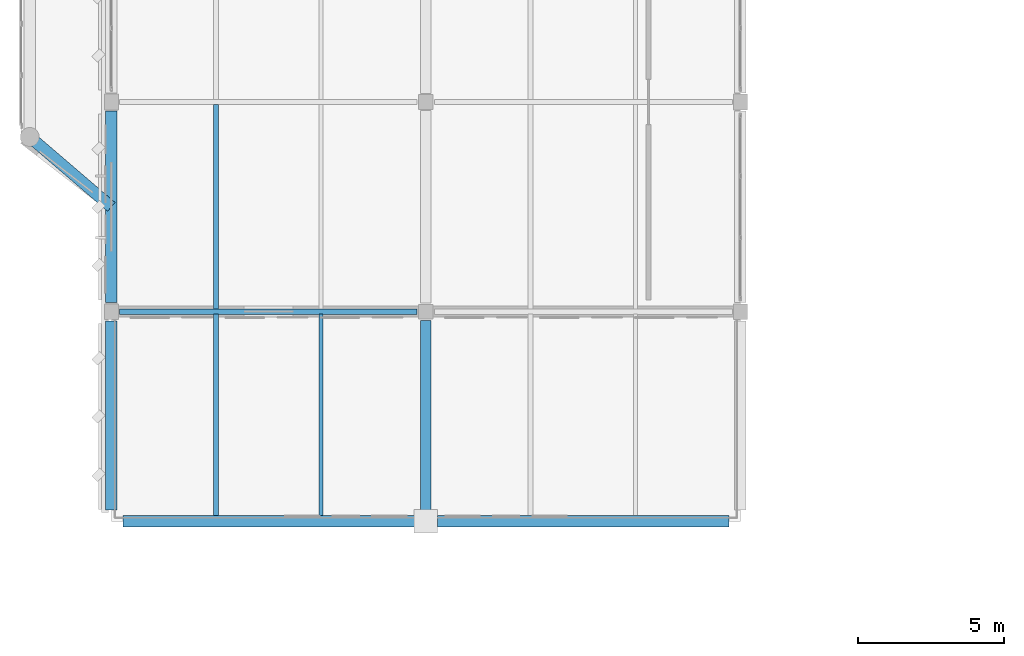
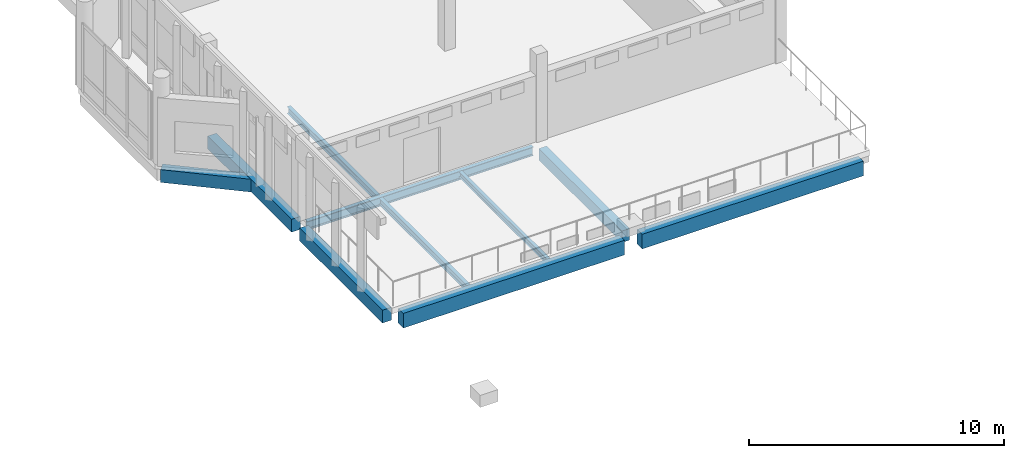
# One storey, part 3 of 72: 10 beams.
"""IFC4 building model written with IfcOpenShell, lengths in metres."""

from ifc_helpers import new_model, si_unit, direction, frame, origin, origin_2d, place, context, subcontext, project, spatial, rectangle, i_section, extrude, material, material_profile, profile_set, type_object, element, save


model = new_model("IFC4")

# Units and contexts
model_context = context("Model", 3, precision=1e-05, world=origin(), true_north=direction((0.0, 1.0)))
body_context = subcontext(model_context, "Body", "Model", "MODEL_VIEW")
ifc_project = project(units=[si_unit("LENGTHUNIT", "METRE"), si_unit("AREAUNIT", "SQUARE_METRE"), si_unit("VOLUMEUNIT", "CUBIC_METRE"), si_unit("PLANEANGLEUNIT", "RADIAN"), si_unit("MASSUNIT", "GRAM", prefix="KILO")], contexts=[model_context])

# Site, building, storey
site_placement = place(None, origin())
site = spatial("IfcSite", under=ifc_project, at=site_placement, CompositionType="ELEMENT")
building_placement = place(site_placement, origin())
building = spatial("IfcBuilding", under=site, at=building_placement, Name="Lusvemor Sports Hall", CompositionType="ELEMENT")
storey_placement = place(building_placement, frame((0.0, 0.0, 15.0)))
storey = spatial("IfcBuildingStorey", under=building, at=storey_placement, Name="L03", CompositionType="ELEMENT", Elevation=15.0)

# Beams
ifc_material_1 = material(Name="Concrete C40/50", Category="concrete")
ifc_material_profile_1 = material_profile(ifc_material_1, rectangle(XDim=0.35009765625, YDim=0.550048828125, at=origin_2d()), Name="RC350x550")
ifc_profile_set_1 = profile_set([ifc_material_profile_1], Name="Concrete C40/50")
beam_type_1 = type_object("IfcBeamType", Name="BEAM_RC_550", PredefinedType="BEAM", material=ifc_profile_set_1)
beam_1_placement = place(storey_placement, frame((10.800048828125, 47.196044921875, -0.544921875), z_axis=(0.0, 1.0, 0.0), x_axis=(-1.0, 0.0, 0.0)))
element("IfcBeam", 1, at=beam_1_placement, inside=storey, type_object=beam_type_1, Name="Beam L03 2:F-G", PredefinedType="BEAM", context=body_context, shape_type="SweptSolid", body=[
    extrude(rectangle(XDim=0.35009765625, YDim=0.550048828125, at=origin_2d()), origin(), (0.0, 0.0, 1.0), 6.508056640625),
])
ifc_material_2 = material(Name="Steel S355", Category="steel")
ifc_material_profile_2 = material_profile(ifc_material_2, i_section(OverallWidth=0.180908203125, OverallDepth=0.4169921875, WebThickness=0.010986328125, FlangeThickness=0.018310546875, FilletRadius=0.01611328125, at=origin_2d()), Name="W410x85.0")
ifc_profile_set_2 = profile_set([ifc_material_profile_2], Name="Steel S355")
beam_type_2 = type_object("IfcBeamType", Name="BEAM_ST_410H", PredefinedType="BEAM", material=ifc_profile_set_2)
beam_2_placement = place(storey_placement, frame((0.27587890625, 54.0, -0.482421875), z_axis=(1.0, 0.0, 0.0), x_axis=(0.0, 1.0, 0.0)))
element("IfcBeam", 2, at=beam_2_placement, inside=storey, type_object=beam_type_2, Name="Beam L03 G:1-2", PredefinedType="BEAM", context=body_context, shape_type="SweptSolid", body=[
    extrude(i_section(OverallWidth=0.180908203125, OverallDepth=0.4169921875, WebThickness=0.010986328125, FlangeThickness=0.018310546875, FilletRadius=0.01611328125, at=origin_2d()), origin(), (0.0, 0.0, 1.0), 10.22802734375),
])
ifc_material_3 = material(Name="Steel S355", Category="steel")
ifc_material_profile_3 = material_profile(ifc_material_3, i_section(OverallWidth=0.14794921875, OverallDepth=0.26611328125, WebThickness=0.007568359375, FlangeThickness=0.012939453125, FilletRadius=0.012939453125, at=origin_2d()), Name="W250x44.8")
ifc_profile_set_3 = profile_set([ifc_material_profile_3], Name="Steel S355")
beam_type_3 = type_object("IfcBeamType", Name="JOIST_ST_250M", PredefinedType="JOIST", material=ifc_profile_set_3)
beam_3_placement = place(storey_placement, frame((7.199951171875, 46.99609375, -0.406982421875), z_axis=(0.0, 1.0, 0.0), x_axis=(-1.0, 0.0, 0.0)))
element("IfcBeam", 3, at=beam_3_placement, inside=storey, type_object=beam_type_3, Name="Secondary Joist L03 1-2/F-G #2", PredefinedType="JOIST", context=body_context, shape_type="SweptSolid", body=[
    extrude(i_section(OverallWidth=0.14794921875, OverallDepth=0.26611328125, WebThickness=0.007568359375, FlangeThickness=0.012939453125, FilletRadius=0.012939453125, at=origin_2d()), origin(), (0.0, 0.0, 1.0), 6.91748046875),
])
ifc_material_4 = material(Name="Steel S355", Category="steel")
ifc_material_profile_4 = material_profile(ifc_material_4, i_section(OverallWidth=0.1669921875, OverallDepth=0.31689453125, WebThickness=0.007568359375, FlangeThickness=0.01318359375, FilletRadius=0.014892578125, at=origin_2d()), Name="W310x52.0")
ifc_profile_set_4 = profile_set([ifc_material_profile_4], Name="Steel S355")
beam_type_4 = type_object("IfcBeamType", Name="JOIST_ST_310M", PredefinedType="JOIST", material=ifc_profile_set_4)
beam_4_placement = place(storey_placement, frame((3.60009765625, 46.99609375, -0.4326171875), z_axis=(0.0, 1.0, 0.0), x_axis=(-1.0, 0.0, 0.0)))
element("IfcBeam", 4, at=beam_4_placement, inside=storey, type_object=beam_type_4, Name="Secondary Joist L03 1-2/F-G #1", PredefinedType="JOIST", context=body_context, shape_type="SweptSolid", body=[
    extrude(i_section(OverallWidth=0.1669921875, OverallDepth=0.31689453125, WebThickness=0.007568359375, FlangeThickness=0.01318359375, FilletRadius=0.014892578125, at=origin_2d()), origin(), (0.0, 0.0, 1.0), 6.91748046875),
])
beam_5_placement = place(storey_placement, frame((3.60009765625, 54.08642578125, -0.4326171875), z_axis=(0.0, 1.0, 0.0), x_axis=(-1.0, 0.0, 0.0)))
element("IfcBeam", 5, at=beam_5_placement, inside=storey, type_object=beam_type_4, Name="Secondary Joist L03 1-2/G-H #1", PredefinedType="JOIST", context=body_context, shape_type="SweptSolid", body=[
    extrude(i_section(OverallWidth=0.1669921875, OverallDepth=0.31689453125, WebThickness=0.007568359375, FlangeThickness=0.01318359375, FilletRadius=0.014892578125, at=origin_2d()), origin(), (0.0, 0.0, 1.0), 7.027099609375),
])
ifc_material_5 = material(Name="Concrete C40/50", Category="concrete")
ifc_material_profile_5 = material_profile(ifc_material_5, rectangle(XDim=0.39990234375, YDim=0.610107421875, at=origin_2d()), Name="RC400x610")
ifc_profile_set_5 = profile_set([ifc_material_profile_5], Name="Concrete C40/50")
beam_type_5 = type_object("IfcBeamType", Name="SPAND_EXT_650", PredefinedType="SPANDREL", material=ifc_profile_set_5)
beam_6_placement = place(storey_placement, frame((0.0, 47.196044921875, -0.574951171875), z_axis=(0.0, 1.0, 0.0), x_axis=(-1.0, 0.0, 0.0)))
element("IfcBeam", 6, at=beam_6_placement, inside=storey, type_object=beam_type_5, Name="Beam L03 1:F-G", PredefinedType="SPANDREL", context=body_context, shape_type="SweptSolid", body=[
    extrude(rectangle(XDim=0.39990234375, YDim=0.610107421875, at=origin_2d()), origin(), (0.0, 0.0, 1.0), 6.488037109375),
])
beam_7_placement = place(storey_placement, frame((0.0, 54.31591796875, -0.544921875), z_axis=(0.0, 1.0, 0.0), x_axis=(-1.0, 0.0, 0.0)))
element("IfcBeam", 7, at=beam_7_placement, inside=storey, type_object=beam_type_5, Name="Beam L03 1:G-H", PredefinedType="SPANDREL", context=body_context, shape_type="SweptSolid", body=[
    extrude(rectangle(XDim=0.39990234375, YDim=0.610107421875, at=origin_2d()), origin(), (0.0, 0.0, 1.0), 6.568115234375),
])
beam_8_placement = place(storey_placement, frame((0.0, 57.60009765625, -0.56494140625), z_axis=(-0.759275294494, 0.650769565339, 0.0), x_axis=(-0.650769565339, -0.759275294494, 0.0)))
element("IfcBeam", 8, at=beam_8_placement, inside=storey, type_object=beam_type_5, Name="Bow Pavilion Edge Beam BOW-W1 L03-1", PredefinedType="SPANDREL", context=body_context, shape_type="SweptSolid", body=[
    extrude(rectangle(XDim=0.39990234375, YDim=0.610107421875, at=origin_2d()), origin(), (0.0, 0.0, 1.0), 3.687744140625),
])
ifc_material_6 = material(Name="Concrete C40/50", Category="concrete")
ifc_material_profile_6 = material_profile(ifc_material_6, rectangle(XDim=0.39990234375, YDim=0.699951171875, at=origin_2d()), Name="RC400x700")
ifc_profile_set_6 = profile_set([ifc_material_profile_6], Name="Concrete C40/50")
beam_type_6 = type_object("IfcBeamType", Name="SPAND_EXT_700", PredefinedType="SPANDREL", material=ifc_profile_set_6)
for number, where, z_axis, x_axis, name in (
    (9, (0.39599609375, 46.800048828125, -0.6201171875), (1.0, 0.0, 0.0), (0.0, 1.0, 0.0), "Beam L03 F:1-2"),
    (10, (11.196044921875, 46.800048828125, -0.6201171875), (1.0, 0.0, 0.0), (0.0, 1.0, 0.0), "Beam L03 F:2-3"),
):
    element("IfcBeam", number, at=place(storey_placement, frame(where, z_axis=z_axis, x_axis=x_axis)), inside=storey, type_object=beam_type_6, Name=name, PredefinedType="SPANDREL", context=body_context, shape_type="SweptSolid", body=[
        extrude(rectangle(XDim=0.39990234375, YDim=0.699951171875, at=origin_2d()), origin(), (0.0, 0.0, 1.0), 10.008056640625),
    ])

save(model, "model.ifc")
